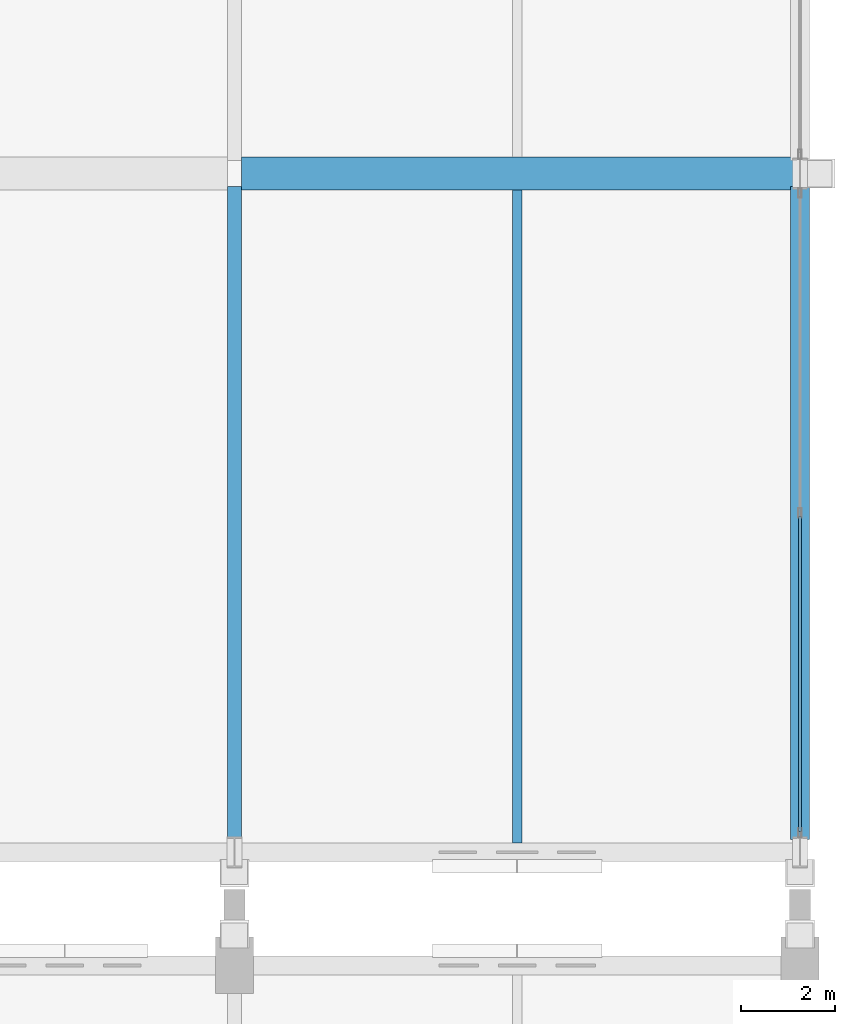
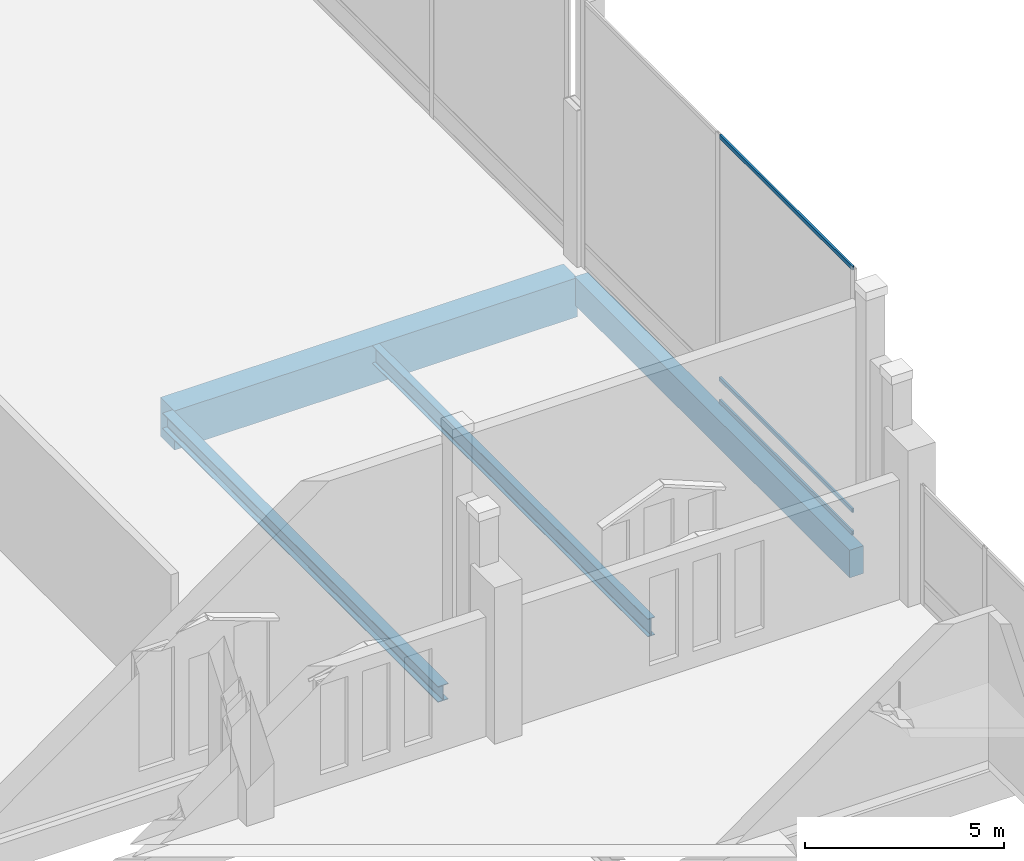
# One storey, part 92 of 193: 4 beams, 3 members, 1 element without a shape of its own.
"""IFC4 building model written with IfcOpenShell, lengths in metres."""

from ifc_helpers import new_model, si_unit, direction, frame, origin, origin_2d, place, context, subcontext, project, spatial, rectangle, hollow_rectangle, i_section, extrude, material, material_profile, profile_set, type_object, element, aggregate, save


model = new_model("IFC4")

# Units and contexts
model_context = context("Model", 3, precision=1e-05, world=origin(), true_north=direction((0.0, 1.0)))
body_context = subcontext(model_context, "Body", "Model", "MODEL_VIEW")
ifc_project = project(units=[si_unit("LENGTHUNIT", "METRE"), si_unit("AREAUNIT", "SQUARE_METRE"), si_unit("VOLUMEUNIT", "CUBIC_METRE"), si_unit("PLANEANGLEUNIT", "RADIAN"), si_unit("MASSUNIT", "GRAM", prefix="KILO")], contexts=[model_context])

# Site, building, storey
site_placement = place(None, origin())
site = spatial("IfcSite", under=ifc_project, at=site_placement, CompositionType="ELEMENT")
building_placement = place(site_placement, origin())
building = spatial("IfcBuilding", under=site, at=building_placement, Name="Cendralis Lancet Convention Centre", CompositionType="ELEMENT")
storey_placement = place(building_placement, frame((0.0, 0.0, 10.199951171875)))
storey = spatial("IfcBuildingStorey", under=building, at=storey_placement, Name="L02", CompositionType="ELEMENT", Elevation=10.199951171875)

# Curtain wall, members
ifc_material_1 = material(Name="Anodised bronze architectural aluminium", Category="aluminium")
curtain_wall_type = type_object("IfcCurtainWallType", Name="ARC-CW-BL02", PredefinedType="USERDEFINED", material=ifc_material_1)
curtain_wall_placement = place(storey_placement, origin())
curtain_wall = element("IfcCurtainWall", 1, at=curtain_wall_placement, inside=storey, type_object=curtain_wall_type, Name="L02 Curtain Wall CW-BL2 #160", ObjectType="CURTAIN WALL", PredefinedType="USERDEFINED")
ifc_material_profile_1 = material_profile(ifc_material_1, hollow_rectangle(XDim=0.06005859375, YDim=0.1201171875, WallThickness=0.00390625, at=origin_2d()), Name="AL-TRAN 60x120x4.0")
ifc_profile_set_1 = profile_set([ifc_material_profile_1], Name="Anodised bronze architectural aluminium")
member_type = type_object("IfcMemberType", Name="ARC-CW-TR01", PredefinedType="USERDEFINED", material=ifc_profile_set_1)
member_1_placement = place(storey_placement, frame((208.800048828125, 100.72998046875, 0.06005859375), z_axis=(0.0, -1.0, 0.0), x_axis=(1.0, 0.0, 0.0)))
member_1 = element("IfcMember", 2, at=member_1_placement, type_object=member_type, Name="Transom CW2-CW-BL2-L02-160-T1BOT", ObjectType="TRANSOM", PredefinedType="USERDEFINED", context=body_context, shape_type="SweptSolid", body=[
    extrude(hollow_rectangle(XDim=0.06005859375, YDim=0.1201171875, WallThickness=0.00390625, at=origin_2d()), origin(), (0.0, 0.0, 1.0), 6.68505859375),
])
member_2_placement = place(storey_placement, frame((208.800048828125, 100.72998046875, 0.75), z_axis=(0.0, -1.0, 0.0), x_axis=(1.0, 0.0, 0.0)))
member_2 = element("IfcMember", 3, at=member_2_placement, type_object=member_type, Name="Transom CW2-CW-BL2-L02-160-T1MID", ObjectType="TRANSOM", PredefinedType="USERDEFINED", context=body_context, shape_type="SweptSolid", body=[
    extrude(hollow_rectangle(XDim=0.06005859375, YDim=0.1201171875, WallThickness=0.00390625, at=origin_2d()), origin(), (0.0, 0.0, 1.0), 6.68505859375),
])
member_3_placement = place(storey_placement, frame((208.800048828125, 100.72998046875, 8.18994140625), z_axis=(0.0, -1.0, 0.0), x_axis=(1.0, 0.0, 0.0)))
member_3 = element("IfcMember", 4, at=member_3_placement, type_object=member_type, Name="Transom CW2-CW-BL2-L02-160-T1TOP", ObjectType="TRANSOM", PredefinedType="USERDEFINED", context=body_context, shape_type="SweptSolid", body=[
    extrude(hollow_rectangle(XDim=0.06005859375, YDim=0.1201171875, WallThickness=0.00390625, at=origin_2d()), origin(), (0.0, 0.0, 1.0), 6.68505859375),
])
aggregate(curtain_wall, [member_1, member_2, member_3])

# Beams
ifc_material_2 = material(Name="Concrete G40 (C40/50)", Category="concrete")
ifc_material_profile_2 = material_profile(ifc_material_2, rectangle(XDim=0.699951171875, YDim=1.199951171875, at=origin_2d()), Name="RCB 700x1200")
ifc_profile_set_2 = profile_set([ifc_material_profile_2], Name="Concrete G40 (C40/50)")
beam_type_1 = type_object("IfcBeamType", Name="STR-BM-BG01", PredefinedType="BEAM", material=ifc_profile_set_2)
beam_1_placement = place(storey_placement, frame((196.949951171875, 108.0, -0.89990234375), z_axis=(1.0, 0.0, 0.0), x_axis=(0.0, 1.0, 0.0)))
element("IfcBeam", 5, at=beam_1_placement, inside=storey, type_object=beam_type_1, Name="L02 Beam BG01 #1708", PredefinedType="BEAM", context=body_context, shape_type="SweptSolid", body=[
    extrude(rectangle(XDim=0.699951171875, YDim=1.199951171875, at=origin_2d()), origin(), (0.0, 0.0, 1.0), 11.699951171875),
])
ifc_material_3 = material(Name="Steel S355", Category="steel")
ifc_material_profile_3 = material_profile(ifc_material_3, i_section(OverallWidth=0.300048828125, OverallDepth=0.489990234375, WebThickness=0.011962890625, FlangeThickness=0.02294921875, FilletRadius=0.027099609375, at=origin_2d()), Name="HEA 500")
ifc_profile_set_3 = profile_set([ifc_material_profile_3], Name="Steel S355")
beam_type_2 = type_object("IfcBeamType", Name="STR-BM-SG12", PredefinedType="BEAM", material=ifc_profile_set_3)
beam_2_placement = place(storey_placement, frame((196.800048828125, 93.875, -0.544921875), z_axis=(0.0, 1.0, 0.0), x_axis=(-1.0, 0.0, 0.0)))
element("IfcBeam", 6, at=beam_2_placement, inside=storey, type_object=beam_type_2, Name="L02 Beam SG12 #1736", PredefinedType="BEAM", context=body_context, shape_type="SweptSolid", body=[
    extrude(i_section(OverallWidth=0.300048828125, OverallDepth=0.489990234375, WebThickness=0.011962890625, FlangeThickness=0.02294921875, FilletRadius=0.027099609375, at=origin_2d()), origin(), (0.0, 0.0, 1.0), 13.85009765625),
])
ifc_material_profile_4 = material_profile(ifc_material_3, i_section(OverallWidth=0.2099609375, OverallDepth=0.550048828125, WebThickness=0.010986328125, FlangeThickness=0.01708984375, FilletRadius=0.02392578125, at=origin_2d()), Name="IPE 550")
ifc_profile_set_4 = profile_set([ifc_material_profile_4], Name="Steel S355")
beam_type_3 = type_object("IfcBeamType", Name="STR-JS-BJ05", PredefinedType="JOIST", material=ifc_profile_set_4)
beam_3_placement = place(storey_placement, frame((202.800048828125, 93.800048828125, -0.574951171875), z_axis=(0.0, 1.0, 0.0), x_axis=(-1.0, 0.0, 0.0)))
element("IfcBeam", 7, at=beam_3_placement, inside=storey, type_object=beam_type_3, Name="L02 Beam BJ05 #1753", PredefinedType="JOIST", context=body_context, shape_type="SweptSolid", body=[
    extrude(i_section(OverallWidth=0.2099609375, OverallDepth=0.550048828125, WebThickness=0.010986328125, FlangeThickness=0.01708984375, FilletRadius=0.02392578125, at=origin_2d()), origin(), (0.0, 0.0, 1.0), 13.849853515625),
])
ifc_material_profile_5 = material_profile(ifc_material_2, rectangle(XDim=0.39990234375, YDim=0.85009765625, at=origin_2d()), Name="RCB 400x850")
ifc_profile_set_5 = profile_set([ifc_material_profile_5], Name="Concrete G40 (C40/50)")
beam_type_4 = type_object("IfcBeamType", Name="STR-SP-SP02", PredefinedType="SPANDREL", material=ifc_profile_set_5)
beam_4_placement = place(storey_placement, frame((208.800048828125, 93.875, -0.724853515625), z_axis=(0.0, 1.0, 0.0), x_axis=(-1.0, 0.0, 0.0)))
element("IfcBeam", 8, at=beam_4_placement, inside=storey, type_object=beam_type_4, Name="L02 Beam SP02 #1739", PredefinedType="SPANDREL", context=body_context, shape_type="SweptSolid", body=[
    extrude(rectangle(XDim=0.39990234375, YDim=0.85009765625, at=origin_2d()), origin(), (0.0, 0.0, 1.0), 13.85009765625),
])

save(model, "model.ifc")
